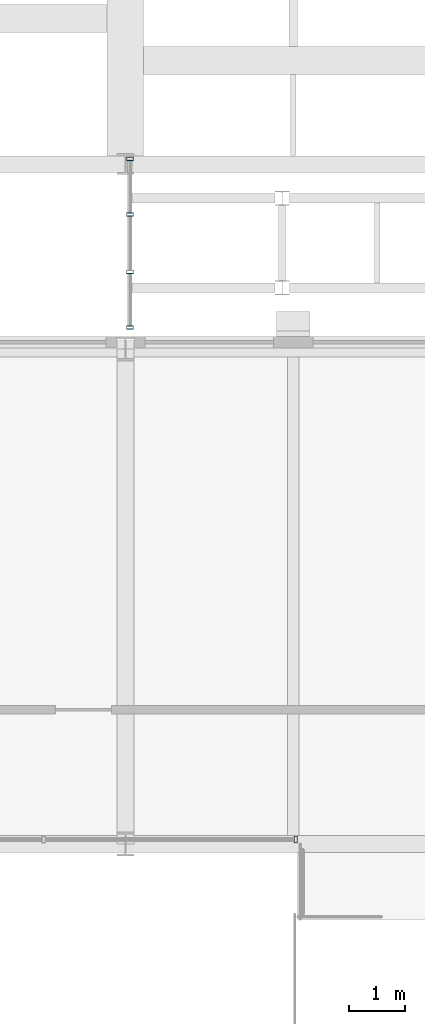
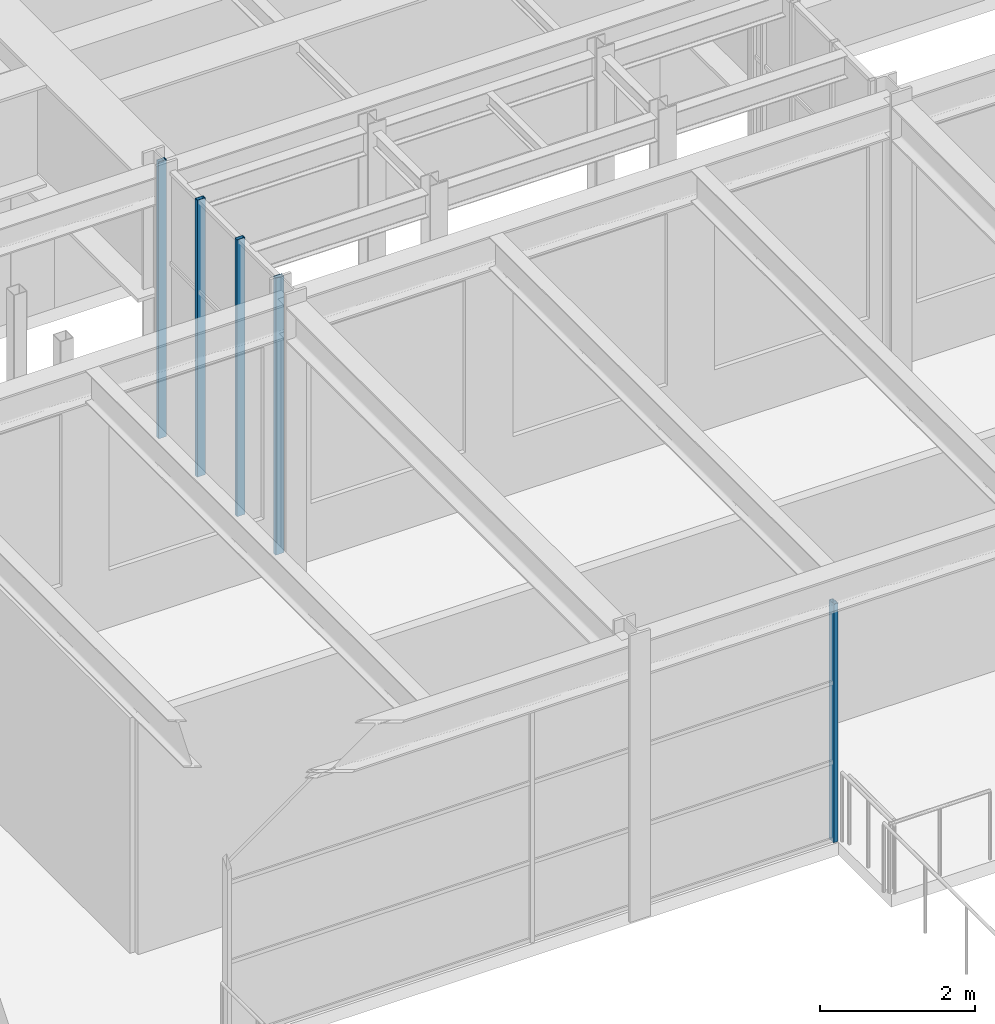
# One storey, part 61 of 153: 5 members, 2 elements without a shape of their own.
"""IFC4 building model written with IfcOpenShell, lengths in metres."""

import ifcopenshell
import ifcopenshell.guid

model = None  # the IFC model being written
_history = None  # IfcOwnerHistory: only IFC2X3 demands one
_inside = {}  # id of a spatial element -> (the spatial element, [elements in it])
_under = {}  # id of a project, library or spatial element -> (it, [spatial elements below it])
_declared = {}  # id of a project -> (the project, [libraries it declares])
_typed = {}  # id of a type object -> (the type object, [elements of that type])
_made_of = {}  # id of a material, layer set ... -> (it, [elements and type objects made of it])


def new_model(schema):
    """Start an empty IFC model of exactly this schema.

    Asked for "IFC4X3", IfcOpenShell would pick the latest addendum, in which some entities
    have other attributes; the version numbers below select the first issue.
    IFC2X3 requires an IfcOwnerHistory on every rooted entity: one is made here for all.
    """
    global model, _history
    if schema == "IFC4X3":
        model = ifcopenshell.file(schema_version=(4, 3, 0, 0))
    else:
        model = ifcopenshell.file(schema=schema)
    _inside.clear()
    _under.clear()
    _declared.clear()
    _typed.clear()
    _made_of.clear()
    _history = None
    if model.schema == "IFC2X3":
        org = make("IfcOrganization", Name="unknown")
        user = make(
            "IfcPersonAndOrganization",
            ThePerson=make("IfcPerson", FamilyName="unknown"),
            TheOrganization=org,
        )
        app = make(
            "IfcApplication",
            ApplicationDeveloper=org,
            Version="unknown",
            ApplicationFullName="unknown",
            ApplicationIdentifier="unknown",
        )
        _history = make(
            "IfcOwnerHistory",
            OwningUser=user,
            OwningApplication=app,
            ChangeAction="ADDED",
            CreationDate=0,
        )
    return model


def make(cls, **values):
    """One entity of the class cls with the attributes given. An attribute that is None is left unset."""
    return model.create_entity(
        cls, **{name: value for name, value in values.items() if value is not None}
    )


def rooted(cls, **values):
    """An entity with a GlobalId (a new one), such as an element, a storey or a relation."""
    return make(cls, GlobalId=ifcopenshell.guid.new(), OwnerHistory=_history, **values)


def si_unit(unit_type, name, prefix=None):
    """IfcSIUnit, for example si_unit("LENGTHUNIT", "METRE", prefix="MILLI")."""
    return make("IfcSIUnit", UnitType=unit_type, Prefix=prefix, Name=name)


def assignment(units):
    """IfcUnitAssignment: the units of a project."""
    return None if units is None else make("IfcUnitAssignment", Units=units)


def point(xyz):
    """IfcCartesianPoint."""
    return None if xyz is None else make("IfcCartesianPoint", Coordinates=xyz)


def direction(xyz):
    """IfcDirection."""
    return None if xyz is None else make("IfcDirection", DirectionRatios=xyz)


def frame(location, z_axis=None, x_axis=None):
    """IfcAxis2Placement3D, a coordinate frame: its origin and axes. An axis left out is left unset."""
    return make(
        "IfcAxis2Placement3D",
        Location=point(location),
        Axis=direction(z_axis),
        RefDirection=direction(x_axis),
    )


def frame_2d(location, x_axis=None):
    """IfcAxis2Placement2D, a coordinate frame in the plane: its origin and x axis."""
    return make(
        "IfcAxis2Placement2D", Location=point(location), RefDirection=direction(x_axis)
    )


def origin():
    """The frame at (0, 0, 0) with its axes left unset."""
    return frame((0.0, 0.0, 0.0))


def origin_2d():
    """The frame at (0, 0) in the plane with its x axis left unset."""
    return frame_2d((0.0, 0.0))


def place(relative_to, where):
    """IfcLocalPlacement: puts the frame where relative to a parent placement (None: the world)."""
    return make(
        "IfcLocalPlacement", PlacementRelTo=relative_to, RelativePlacement=where
    )


def context(
    kind, dimensions, precision=None, world=None, true_north=None, identifier=None
):
    """IfcGeometricRepresentationContext, for example the 3D "Model" context."""
    return make(
        "IfcGeometricRepresentationContext",
        ContextIdentifier=identifier,
        ContextType=kind,
        CoordinateSpaceDimension=dimensions,
        Precision=precision,
        WorldCoordinateSystem=world,
        TrueNorth=true_north,
    )


def subcontext(parent, identifier, kind, view, scale=None):
    """IfcGeometricRepresentationSubContext, for example "Body" below "Model"."""
    return make(
        "IfcGeometricRepresentationSubContext",
        ContextIdentifier=identifier,
        ContextType=kind,
        ParentContext=parent,
        TargetScale=scale,
        TargetView=view,
    )


def project(units=None, contexts=None):
    """IfcProject with its units and contexts."""
    return rooted(
        "IfcProject",
        Name="project",
        RepresentationContexts=contexts,
        UnitsInContext=assignment(units),
    )


def spatial(cls, under=None, at=None, **own):
    """A site, building, storey or space (cls), placed at a placement, below another one or the project."""
    s = rooted(cls, ObjectPlacement=at, **own)
    if under is not None:
        _under.setdefault(under.id(), (under, []))[1].append(s)
    return s


def profile(cls, at=None, kind="AREA", **sizes):
    """A parametric profile (cls). Its sizes go by their IFC names, for example OverallWidth=200.0."""
    return make(cls, ProfileType=kind, Position=at, **sizes)


def hollow_rectangle(**sizes):
    """IfcRectangleHollowProfileDef."""
    return profile("IfcRectangleHollowProfileDef", **sizes)


def extrude(swept, where, along, depth):
    """IfcExtrudedAreaSolid: the profile swept, set in the frame where, extruded along a direction by depth."""
    return make(
        "IfcExtrudedAreaSolid",
        SweptArea=swept,
        Position=where,
        ExtrudedDirection=direction(along),
        Depth=depth,
    )


def shape(context_of_items, identifier, shape_type, items):
    """IfcShapeRepresentation: the items that make up one representation, for example the "Body"."""
    return make(
        "IfcShapeRepresentation",
        ContextOfItems=context_of_items,
        RepresentationIdentifier=identifier,
        RepresentationType=shape_type,
        Items=items,
    )


def material(Name=None, Category=None):
    """IfcMaterial."""
    return make("IfcMaterial", Name=Name, Category=Category)


def material_profile(
    of_material, cross_section, Name=None, Category=None, Priority=None
):
    """IfcMaterialProfile: a cross section and its material."""
    return make(
        "IfcMaterialProfile",
        Name=Name,
        Material=of_material,
        Profile=cross_section,
        Priority=Priority,
        Category=Category,
    )


def profile_set(profiles, Name=None, composite=None):
    """IfcMaterialProfileSet."""
    return make(
        "IfcMaterialProfileSet",
        Name=Name,
        MaterialProfiles=profiles,
        CompositeProfile=composite,
    )


def made_of(thing, what):
    """Note that an element or type object is made of a material, layer set ...; save() writes the relation."""
    if what is not None:
        _made_of.setdefault(what.id(), (what, []))[1].append(thing)
    return thing


def type_object(cls, material=None, **own):
    """A type object (cls), such as IfcWallType, which elements share."""
    return made_of(rooted(cls, **own), material)


def element(
    cls,
    number,
    at=None,
    inside=None,
    cuts=None,
    type_object=None,
    material=None,
    context=None,
    identifier="Body",
    shape_type=None,
    held_by="IfcProductDefinitionShape",
    body=None,
    shapes=None,
    **own,
):
    """One element of the class cls, such as IfcWall. Its Tag is "e" and its number.

    at: its placement. inside: the storey or other place that contains it. cuts: it is an
    opening in that element (IfcRelVoidsElement). A single representation is given by context,
    identifier, shape_type and body (its items); several are given by shapes. held_by: the class
    of the entity that holds the representations. save() writes the other relations.
    """
    e = rooted(cls, Tag="e%d" % number, ObjectPlacement=at, **own)
    if body is not None:
        shapes = [shape(context, identifier, shape_type, body)]
    if shapes is not None:
        e.Representation = make(held_by, Representations=shapes)
    if inside is not None:
        _inside.setdefault(inside.id(), (inside, []))[1].append(e)
    if cuts is not None:
        rooted(
            "IfcRelVoidsElement", RelatingBuildingElement=cuts, RelatedOpeningElement=e
        )
    if type_object is not None:
        _typed.setdefault(type_object.id(), (type_object, []))[1].append(e)
    return made_of(e, material)


def aggregate(whole, parts):
    """IfcRelAggregates: a whole, such as a stair, and the parts it consists of."""
    return rooted("IfcRelAggregates", RelatingObject=whole, RelatedObjects=parts)


def save(model, path):
    """Write the relations noted so far, then the file.

    IfcRelAggregates (storeys below a building ...), IfcRelContainedInSpatialStructure (elements
    in a storey), IfcRelDefinesByType, IfcRelAssociatesMaterial and IfcRelDeclares: one each for
    every whole, place, type object, material and project.
    """
    for whole, parts in _under.values():
        aggregate(whole, parts)
    for where, things in _inside.values():
        rooted(
            "IfcRelContainedInSpatialStructure",
            RelatedElements=things,
            RelatingStructure=where,
        )
    for kind, things in _typed.values():
        rooted("IfcRelDefinesByType", RelatedObjects=things, RelatingType=kind)
    for what, things in _made_of.values():
        rooted("IfcRelAssociatesMaterial", RelatedObjects=things, RelatingMaterial=what)
    for by, libraries in _declared.values():
        rooted("IfcRelDeclares", RelatingContext=by, RelatedDefinitions=libraries)
    model.write(path)


model = new_model("IFC4")

# Units and contexts
model_context = context("Model", 3, precision=1e-05, world=origin(), true_north=direction((0.0, 1.0)))
body_context = subcontext(model_context, "Body", "Model", "MODEL_VIEW")
ifc_project = project(units=[si_unit("LENGTHUNIT", "METRE"), si_unit("AREAUNIT", "SQUARE_METRE"), si_unit("VOLUMEUNIT", "CUBIC_METRE"), si_unit("PLANEANGLEUNIT", "RADIAN"), si_unit("MASSUNIT", "GRAM", prefix="KILO")], contexts=[model_context])

# Site, building, storey
site_placement = place(None, origin())
site = spatial("IfcSite", under=ifc_project, at=site_placement, CompositionType="ELEMENT")
building_placement = place(site_placement, origin())
building = spatial("IfcBuilding", under=site, at=building_placement, Name="Kallimachos Central Library", CompositionType="ELEMENT")
storey_placement = place(building_placement, frame((0.0, 0.0, 5.39990234375)))
storey = spatial("IfcBuildingStorey", under=building, at=storey_placement, Name="L01", CompositionType="ELEMENT", Elevation=5.39990234375)

# Curtain wall, members
ifc_material_1 = material(Name="Aluminium and laminated glass", Category="aluminium")
curtain_wall_type_1 = type_object("IfcCurtainWallType", Name="Link glazed wall", PredefinedType="NOTDEFINED", material=ifc_material_1)
curtain_wall_1_placement = place(storey_placement, origin())
curtain_wall_1 = element("IfcCurtainWall", 1, at=curtain_wall_1_placement, inside=storey, type_object=curtain_wall_type_1, Name="Reading Link glazed wall L01", PredefinedType="NOTDEFINED")
ifc_material_2 = material(Name="Anodised aluminium", Category="aluminium")
ifc_material_profile_1 = material_profile(ifc_material_2, hollow_rectangle(XDim=0.06005859375, YDim=0.1201171875, WallThickness=0.00390625, at=origin_2d()), Name="ALU MULLION 60x120")
ifc_profile_set_1 = profile_set([ifc_material_profile_1], Name="Anodised aluminium")
member_type_1 = type_object("IfcMemberType", Name="ALU MULLION 60x120 mullion", PredefinedType="MULLION", material=ifc_profile_set_1)
member_1_placement = place(storey_placement, frame((83.580078125, 84.22998046875, 0.0), z_axis=(0.0, 0.0, 1.0), x_axis=(0.0, 1.0, 0.0)))
member_1 = element("IfcMember", 2, at=member_1_placement, type_object=member_type_1, Name="CW64 mullion 1", PredefinedType="MULLION", context=body_context, shape_type="SweptSolid", body=[
    extrude(hollow_rectangle(XDim=0.06005859375, YDim=0.1201171875, WallThickness=0.00390625, at=origin_2d()), origin(), (0.0, 0.0, 1.0), 4.35009765625),
])
member_2_placement = place(storey_placement, frame((83.580078125, 85.22509765625, 0.0), z_axis=(0.0, 0.0, 1.0), x_axis=(0.0, 1.0, 0.0)))
member_2 = element("IfcMember", 3, at=member_2_placement, type_object=member_type_1, Name="CW64 mullion 2", PredefinedType="MULLION", context=body_context, shape_type="SweptSolid", body=[
    extrude(hollow_rectangle(XDim=0.06005859375, YDim=0.1201171875, WallThickness=0.00390625, at=origin_2d()), origin(), (0.0, 0.0, 1.0), 4.35009765625),
])
member_3_placement = place(storey_placement, frame((83.580078125, 86.25, 0.0), z_axis=(0.0, 0.0, 1.0), x_axis=(0.0, 1.0, 0.0)))
member_3 = element("IfcMember", 4, at=member_3_placement, type_object=member_type_1, Name="CW64 mullion 3", PredefinedType="MULLION", context=body_context, shape_type="SweptSolid", body=[
    extrude(hollow_rectangle(XDim=0.06005859375, YDim=0.1201171875, WallThickness=0.00390625, at=origin_2d()), origin(), (0.0, 0.0, 1.0), 4.35009765625),
])
member_4_placement = place(storey_placement, frame((83.580078125, 87.2451171875, 0.0), z_axis=(0.0, 0.0, 1.0), x_axis=(0.0, 1.0, 0.0)))
member_4 = element("IfcMember", 5, at=member_4_placement, type_object=member_type_1, Name="CW64 mullion 4", PredefinedType="MULLION", context=body_context, shape_type="SweptSolid", body=[
    extrude(hollow_rectangle(XDim=0.06005859375, YDim=0.1201171875, WallThickness=0.00390625, at=origin_2d()), origin(), (0.0, 0.0, 1.0), 4.35009765625),
])
aggregate(curtain_wall_1, [member_1, member_2, member_3, member_4])

# Curtain wall, member
ifc_material_3 = material(Name="Aluminium and laminated glass", Category="aluminium")
curtain_wall_type_2 = type_object("IfcCurtainWallType", Name="Atrium glazed screen", PredefinedType="NOTDEFINED", material=ifc_material_3)
curtain_wall_2_placement = place(storey_placement, origin())
curtain_wall_2 = element("IfcCurtainWall", 6, at=curtain_wall_2_placement, inside=storey, type_object=curtain_wall_type_2, Name="L01 atrium screen N", PredefinedType="NOTDEFINED")
ifc_material_4 = material(Name="Anodised aluminium", Category="aluminium")
ifc_material_profile_2 = material_profile(ifc_material_4, hollow_rectangle(XDim=0.06005859375, YDim=0.1201171875, WallThickness=0.00390625, at=origin_2d()), Name="ALU MULLION 60x120")
ifc_profile_set_2 = profile_set([ifc_material_profile_2], Name="Anodised aluminium")
member_type_2 = type_object("IfcMemberType", Name="Atrium screen mullion", PredefinedType="MULLION", material=ifc_profile_set_2)
member_5_placement = place(storey_placement, frame((86.544921875, 75.080078125, 0.0), z_axis=(0.0, 0.0, 1.0), x_axis=(1.0, 0.0, 0.0)))
member_5 = element("IfcMember", 7, at=member_5_placement, type_object=member_type_2, Name="CW mullion 3", PredefinedType="MULLION", context=body_context, shape_type="SweptSolid", body=[
    extrude(hollow_rectangle(XDim=0.06005859375, YDim=0.1201171875, WallThickness=0.00390625, at=origin_2d()), origin(), (0.0, 0.0, 1.0), 3.75),
])
aggregate(curtain_wall_2, [member_5])

save(model, "model.ifc")
